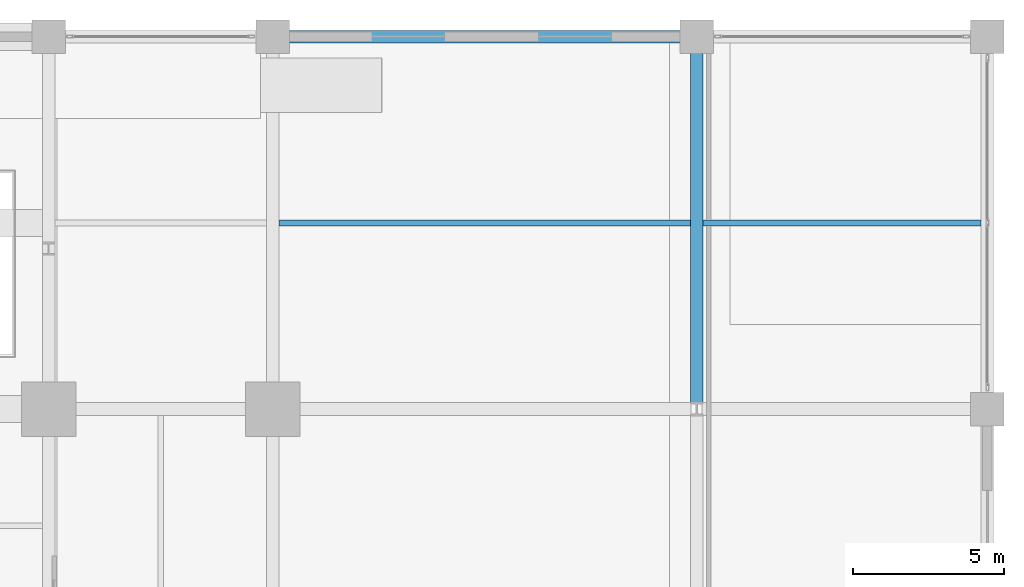
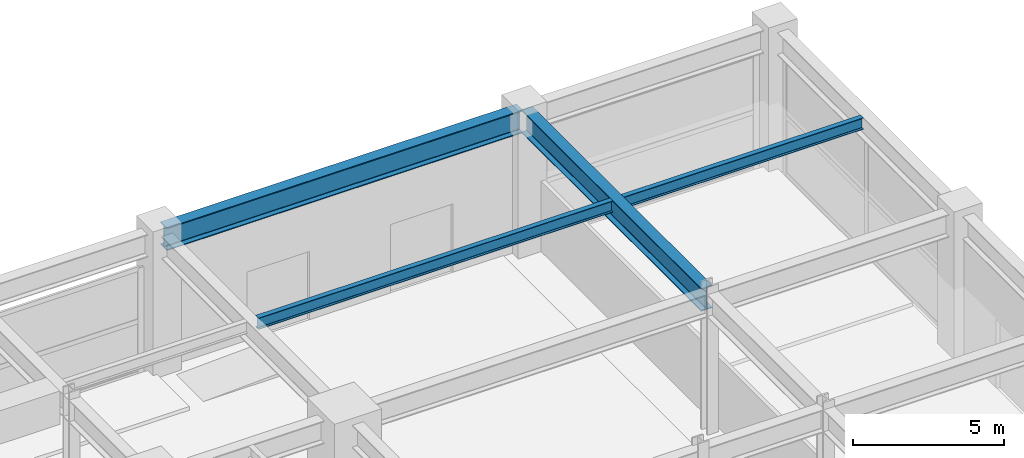
# One storey, part 27 of 41: 4 beams.
"""IFC4 building model written with IfcOpenShell, lengths in metres."""

from ifc_helpers import new_model, si_unit, direction, frame, origin, origin_2d, place, context, subcontext, project, spatial, i_section, extrude, material, material_profile, profile_set, type_object, element, save


model = new_model("IFC4")

# Units and contexts
model_context = context("Model", 3, precision=1e-05, world=origin(), true_north=direction((0.0, 1.0)))
body_context = subcontext(model_context, "Body", "Model", "MODEL_VIEW")
ifc_project = project(units=[si_unit("LENGTHUNIT", "METRE"), si_unit("AREAUNIT", "SQUARE_METRE"), si_unit("VOLUMEUNIT", "CUBIC_METRE"), si_unit("PLANEANGLEUNIT", "RADIAN"), si_unit("MASSUNIT", "GRAM", prefix="KILO")], contexts=[model_context])

# Site, building, storey
site_placement = place(None, origin())
site = spatial("IfcSite", under=ifc_project, at=site_placement, CompositionType="ELEMENT")
building_placement = place(site_placement, origin())
building = spatial("IfcBuilding", under=site, at=building_placement, Name="Kovane Verandah Tower", CompositionType="ELEMENT")
storey_placement = place(building_placement, origin())
storey = spatial("IfcBuildingStorey", under=building, at=storey_placement, Name="L00", CompositionType="ELEMENT", Elevation=0.0)

# Beams
ifc_material_1 = material(Name="Steel S460", Category="steel")
ifc_material_profile_1 = material_profile(ifc_material_1, i_section(OverallWidth=0.42041015625, OverallDepth=0.9208984375, WebThickness=0.021484375, FlangeThickness=0.03662109375, FilletRadius=0.024169921875, at=origin_2d()), Name="UB914x419x388")
ifc_profile_set_1 = profile_set([ifc_material_profile_1], Name="Steel S460")
beam_type_1 = type_object("IfcBeamType", Name="BM-UB914x388", PredefinedType="BEAM", material=ifc_profile_set_1)
beam_1_placement = place(storey_placement, frame((58.580078125, 56.5, 5.239501953125), z_axis=(1.0, 0.0, 0.0), x_axis=(0.0, 1.0, 0.0)))
element("IfcBeam", 1, at=beam_1_placement, inside=storey, type_object=beam_type_1, Name="L00 Podium Grid Girder X29", PredefinedType="BEAM", context=body_context, shape_type="SweptSolid", body=[
    extrude(i_section(OverallWidth=0.42041015625, OverallDepth=0.9208984375, WebThickness=0.021484375, FlangeThickness=0.03662109375, FilletRadius=0.024169921875, at=origin_2d()), origin(), (0.0, 0.0, 1.0), 13.639892578125),
])
beam_2_placement = place(storey_placement, frame((72.39990234375, 44.3798828125, 5.239501953125), z_axis=(0.0, 1.0, 0.0), x_axis=(-1.0, 0.0, 0.0)))
element("IfcBeam", 2, at=beam_2_placement, inside=storey, type_object=beam_type_1, Name="L00 Podium Grid Girder Y53", PredefinedType="BEAM", context=body_context, shape_type="SweptSolid", body=[
    extrude(i_section(OverallWidth=0.42041015625, OverallDepth=0.9208984375, WebThickness=0.021484375, FlangeThickness=0.03662109375, FilletRadius=0.024169921875, at=origin_2d()), origin(), (0.0, 0.0, 1.0), 11.940185546875),
])
ifc_material_2 = material(Name="Steel S355", Category="steel")
ifc_material_profile_2 = material_profile(ifc_material_2, i_section(OverallWidth=0.19287109375, OverallDepth=0.46728515625, WebThickness=0.011474609375, FlangeThickness=0.01953125, FilletRadius=0.01025390625, at=origin_2d()), Name="UB457x191x98")
ifc_profile_set_2 = profile_set([ifc_material_profile_2], Name="Steel S355")
beam_type_2 = type_object("IfcBeamType", Name="JST-UB457x98", PredefinedType="JOIST", material=ifc_profile_set_2)
beam_3_placement = place(storey_placement, frame((58.608154296875, 50.35009765625, 5.46630859375), z_axis=(1.0, 0.0, 0.0), x_axis=(0.0, 1.0, 0.0)))
element("IfcBeam", 3, at=beam_3_placement, inside=storey, type_object=beam_type_2, Name="L00 Podium Secondary Joist 13", PredefinedType="JOIST", context=body_context, shape_type="SweptSolid", body=[
    extrude(i_section(OverallWidth=0.19287109375, OverallDepth=0.46728515625, WebThickness=0.011474609375, FlangeThickness=0.01953125, FilletRadius=0.01025390625, at=origin_2d()), origin(), (0.0, 0.0, 1.0), 13.583740234375),
])
beam_4_placement = place(storey_placement, frame((72.608154296875, 50.35009765625, 5.46630859375), z_axis=(1.0, 0.0, 0.0), x_axis=(0.0, 1.0, 0.0)))
element("IfcBeam", 4, at=beam_4_placement, inside=storey, type_object=beam_type_2, Name="L00 Podium Secondary Joist 14", PredefinedType="JOIST", context=body_context, shape_type="SweptSolid", body=[
    extrude(i_section(OverallWidth=0.19287109375, OverallDepth=0.46728515625, WebThickness=0.011474609375, FlangeThickness=0.01953125, FilletRadius=0.01025390625, at=origin_2d()), origin(), (0.0, 0.0, 1.0), 9.18359375),
])

save(model, "model.ifc")
